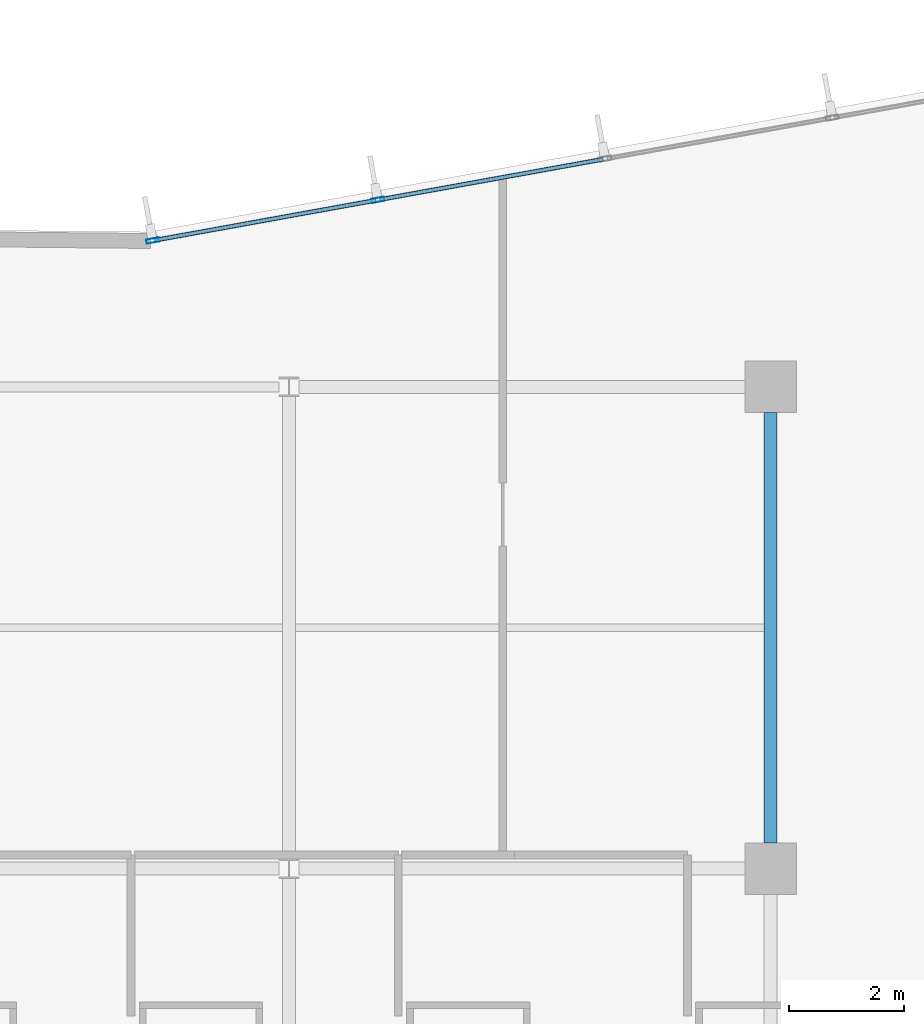
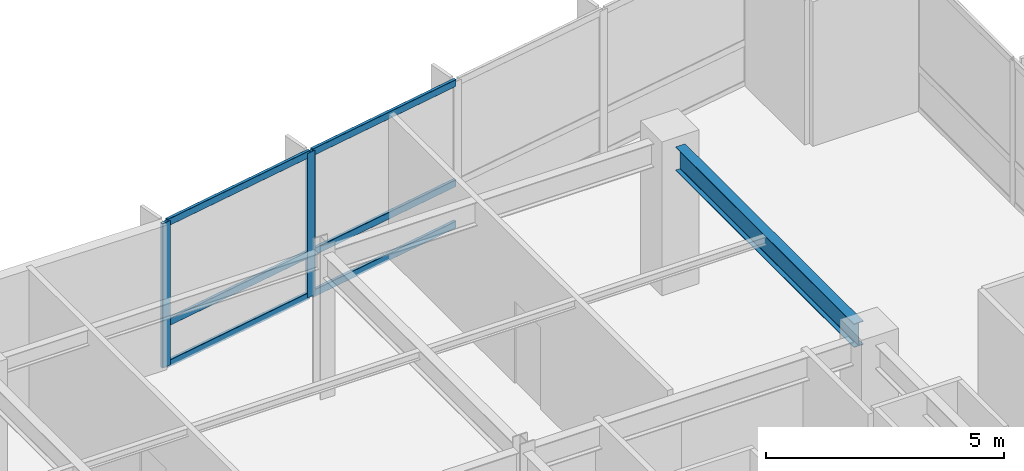
# One storey, part 7 of 21: 8 members, 1 beam, 1 element without a shape of its own.
"""IFC4 building model written with IfcOpenShell, lengths in metres."""

from ifc_helpers import new_model, si_unit, direction, frame, origin, origin_2d, place, context, subcontext, project, spatial, hollow_rectangle, i_section, extrude, material, layer, layer_set, material_profile, profile_set, type_object, element, aggregate, save


model = new_model("IFC4")

# Units and contexts
model_context = context("Model", 3, precision=1e-05, world=origin(), true_north=direction((0.0, 1.0)))
body_context = subcontext(model_context, "Body", "Model", "MODEL_VIEW")
ifc_project = project(units=[si_unit("LENGTHUNIT", "METRE"), si_unit("AREAUNIT", "SQUARE_METRE"), si_unit("VOLUMEUNIT", "CUBIC_METRE"), si_unit("PLANEANGLEUNIT", "RADIAN"), si_unit("MASSUNIT", "GRAM", prefix="KILO")], contexts=[model_context])

# Site, building, storey
site_placement = place(None, origin())
site = spatial("IfcSite", under=ifc_project, at=site_placement, CompositionType="ELEMENT")
building_placement = place(site_placement, origin())
building = spatial("IfcBuilding", under=site, at=building_placement, Name="Varnakote Quay Hospital", CompositionType="ELEMENT")
storey_placement = place(building_placement, frame((0.0, 0.0, 34.35009765625)))
storey = spatial("IfcBuildingStorey", under=building, at=storey_placement, Name="L08", CompositionType="ELEMENT", Elevation=34.35009765625)

# Beam
ifc_material_1 = material(Name="Structural steel AS/NZS 3679.1 Grade 350 L0 (fy 340 MPa)", Category="steel")
ifc_material_profile_1 = material_profile(ifc_material_1, i_section(OverallWidth=0.22900390625, OverallDepth=0.612060546875, WebThickness=0.011962890625, FlangeThickness=0.01953125, FilletRadius=0.013916015625, at=origin_2d()), Name="610UB125")
ifc_profile_set_1 = profile_set([ifc_material_profile_1], Name="Structural steel AS/NZS 3679.1 Grade 350 L0 (fy 340 MPa)")
beam_type = type_object("IfcBeamType", Name="BM-STL-610UB125", PredefinedType="BEAM", material=ifc_profile_set_1)
beam_placement = place(storey_placement, frame((50.39990234375, 20.85009765625, 3.40380859375), z_axis=(0.0, 1.0, 0.0), x_axis=(-1.0, 0.0, 0.0)))
element("IfcBeam", 1, at=beam_placement, inside=storey, type_object=beam_type, Name="L08 Primary Tie Beam", PredefinedType="BEAM", context=body_context, shape_type="SweptSolid", body=[
    extrude(i_section(OverallWidth=0.22900390625, OverallDepth=0.612060546875, WebThickness=0.011962890625, FlangeThickness=0.01953125, FilletRadius=0.013916015625, at=origin_2d()), origin(), (0.0, 0.0, 1.0), 7.5),
])

# Curtain wall, members
ifc_material_2 = material(Name="Anodised aluminium 6063-T6 Bronze", Category="aluminium")
ifc_layer = layer(ifc_material_2, 0.18994140625)
ifc_layer_set = layer_set([ifc_layer], Name="Anodised aluminium 6063-T6 Bronze")
curtain_wall_type = type_object("IfcCurtainWallType", Name="CW-SYS-2", PredefinedType="NOTDEFINED", material=ifc_layer_set)
curtain_wall_placement = place(storey_placement, origin())
curtain_wall = element("IfcCurtainWall", 2, at=curtain_wall_placement, inside=storey, type_object=curtain_wall_type, Name="L08 Unitised Bronze Curtain Wall 2", PredefinedType="NOTDEFINED")
ifc_material_3 = material(Name="Anodised aluminium 6063-T6 Bronze", Category="aluminium")
ifc_material_profile_2 = material_profile(ifc_material_3, hollow_rectangle(XDim=0.074951171875, YDim=0.219970703125, WallThickness=0.00439453125, InnerFilletRadius=0.00439453125, OuterFilletRadius=0.009033203125, at=origin_2d()), Name="CW-MULL-220x75")
ifc_profile_set_2 = profile_set([ifc_material_profile_2], Name="Anodised aluminium 6063-T6 Bronze")
member_type_1 = type_object("IfcMemberType", Name="CW-MULL-220x75", PredefinedType="MULLION", material=ifc_profile_set_2)
member_1_placement = place(storey_placement, frame((43.55224609375, 32.06005859375, 0.0), z_axis=(0.0, 0.0, 1.0), x_axis=(0.177846199098, -0.984058295766, 0.0)))
member_1 = element("IfcMember", 3, at=member_1_placement, type_object=member_type_1, Name="-2-L08-2 mullion 4", PredefinedType="MULLION", context=body_context, shape_type="SweptSolid", body=[
    extrude(hollow_rectangle(XDim=0.074951171875, YDim=0.219970703125, WallThickness=0.00439453125, InnerFilletRadius=0.00439453125, OuterFilletRadius=0.009033203125, at=origin_2d()), origin(), (0.0, 0.0, 1.0), 3.7099609375),
])
member_2_placement = place(storey_placement, frame((39.62646484375, 31.3505859375, 0.0), z_axis=(0.0, 0.0, 1.0), x_axis=(0.177846199098, -0.984058295766, 0.0)))
member_2 = element("IfcMember", 4, at=member_2_placement, type_object=member_type_1, Name="-2-L08-2 mullion 5", PredefinedType="MULLION", context=body_context, shape_type="SweptSolid", body=[
    extrude(hollow_rectangle(XDim=0.074951171875, YDim=0.219970703125, WallThickness=0.00439453125, InnerFilletRadius=0.00439453125, OuterFilletRadius=0.009033203125, at=origin_2d()), origin(), (0.0, 0.0, 1.0), 3.7099609375),
])
ifc_material_4 = material(Name="Anodised aluminium 6063-T6 Bronze", Category="aluminium")
ifc_material_profile_3 = material_profile(ifc_material_4, hollow_rectangle(XDim=0.074951171875, YDim=0.179931640625, WallThickness=0.004150390625, InnerFilletRadius=0.004150390625, OuterFilletRadius=0.00830078125, at=origin_2d()), Name="CW-TRAN-180x75")
ifc_profile_set_3 = profile_set([ifc_material_profile_3], Name="Anodised aluminium 6063-T6 Bronze")
member_type_2 = type_object("IfcMemberType", Name="CW-TRAN-180x75", PredefinedType="USERDEFINED", material=ifc_profile_set_3)
member_3_placement = place(storey_placement, frame((47.477783203125, 32.76953125, 0.037353515625), z_axis=(-0.98405423478, -0.177868667876, 0.0), x_axis=(0.177868667876, -0.98405423478, 0.0)))
member_3 = element("IfcMember", 5, at=member_3_placement, type_object=member_type_2, Name="-2-L08-2 transom 3.1", ObjectType="TRANSOM", PredefinedType="USERDEFINED", context=body_context, shape_type="SweptSolid", body=[
    extrude(hollow_rectangle(XDim=0.074951171875, YDim=0.179931640625, WallThickness=0.004150390625, InnerFilletRadius=0.004150390625, OuterFilletRadius=0.00830078125, at=origin_2d()), origin(), (0.0, 0.0, 1.0), 3.95166015625),
])
member_4_placement = place(storey_placement, frame((47.477783203125, 32.76953125, 1.099853515625), z_axis=(-0.98405423478, -0.177868667876, 0.0), x_axis=(0.177868667876, -0.98405423478, 0.0)))
member_4 = element("IfcMember", 6, at=member_4_placement, type_object=member_type_2, Name="-2-L08-2 transom 3.2", ObjectType="TRANSOM", PredefinedType="USERDEFINED", context=body_context, shape_type="SweptSolid", body=[
    extrude(hollow_rectangle(XDim=0.074951171875, YDim=0.179931640625, WallThickness=0.004150390625, InnerFilletRadius=0.004150390625, OuterFilletRadius=0.00830078125, at=origin_2d()), origin(), (0.0, 0.0, 1.0), 3.95166015625),
])
member_5_placement = place(storey_placement, frame((47.477783203125, 32.76953125, 3.67236328125), z_axis=(-0.98405423478, -0.177868667876, 0.0), x_axis=(0.177868667876, -0.98405423478, 0.0)))
member_5 = element("IfcMember", 7, at=member_5_placement, type_object=member_type_2, Name="-2-L08-2 transom 3.3", ObjectType="TRANSOM", PredefinedType="USERDEFINED", context=body_context, shape_type="SweptSolid", body=[
    extrude(hollow_rectangle(XDim=0.074951171875, YDim=0.179931640625, WallThickness=0.004150390625, InnerFilletRadius=0.004150390625, OuterFilletRadius=0.00830078125, at=origin_2d()), origin(), (0.0, 0.0, 1.0), 3.95166015625),
])
member_6_placement = place(storey_placement, frame((43.515380859375, 32.053466796875, 0.037353515625), z_axis=(-0.984053005206, -0.177875470329, 0.0), x_axis=(0.177875470329, -0.984053005206, 0.0)))
member_6 = element("IfcMember", 8, at=member_6_placement, type_object=member_type_2, Name="-2-L08-2 transom 4.1", ObjectType="TRANSOM", PredefinedType="USERDEFINED", context=body_context, shape_type="SweptSolid", body=[
    extrude(hollow_rectangle(XDim=0.074951171875, YDim=0.179931640625, WallThickness=0.004150390625, InnerFilletRadius=0.004150390625, OuterFilletRadius=0.00830078125, at=origin_2d()), origin(), (0.0, 0.0, 1.0), 3.91455078125),
])
member_7_placement = place(storey_placement, frame((43.515380859375, 32.053466796875, 1.099853515625), z_axis=(-0.984053005206, -0.177875470329, 0.0), x_axis=(0.177875470329, -0.984053005206, 0.0)))
member_7 = element("IfcMember", 9, at=member_7_placement, type_object=member_type_2, Name="-2-L08-2 transom 4.2", ObjectType="TRANSOM", PredefinedType="USERDEFINED", context=body_context, shape_type="SweptSolid", body=[
    extrude(hollow_rectangle(XDim=0.074951171875, YDim=0.179931640625, WallThickness=0.004150390625, InnerFilletRadius=0.004150390625, OuterFilletRadius=0.00830078125, at=origin_2d()), origin(), (0.0, 0.0, 1.0), 3.91455078125),
])
member_8_placement = place(storey_placement, frame((43.515380859375, 32.053466796875, 3.67236328125), z_axis=(-0.984053005206, -0.177875470329, 0.0), x_axis=(0.177875470329, -0.984053005206, 0.0)))
member_8 = element("IfcMember", 10, at=member_8_placement, type_object=member_type_2, Name="-2-L08-2 transom 4.3", ObjectType="TRANSOM", PredefinedType="USERDEFINED", context=body_context, shape_type="SweptSolid", body=[
    extrude(hollow_rectangle(XDim=0.074951171875, YDim=0.179931640625, WallThickness=0.004150390625, InnerFilletRadius=0.004150390625, OuterFilletRadius=0.00830078125, at=origin_2d()), origin(), (0.0, 0.0, 1.0), 3.91455078125),
])
aggregate(curtain_wall, [member_1, member_2, member_3, member_4, member_5, member_6, member_7, member_8])

save(model, "model.ifc")
